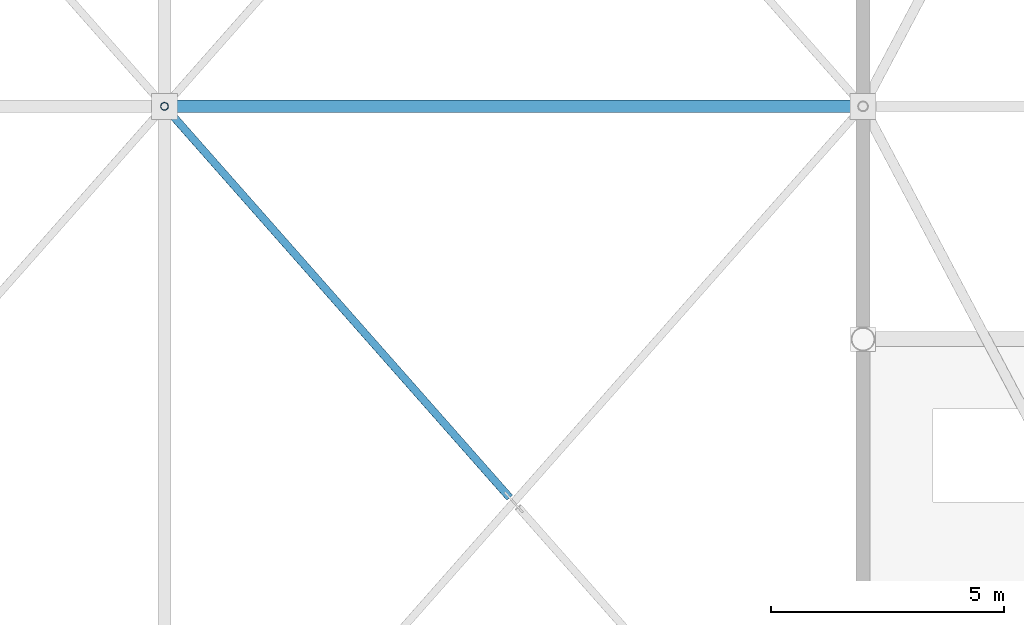
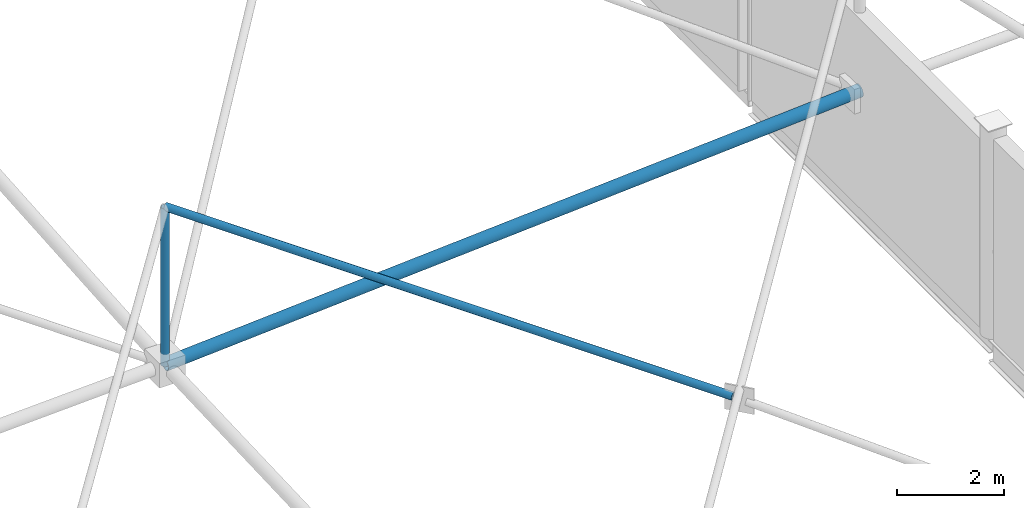
# One storey, part 109 of 224: 3 members.
"""IFC4 building model written with IfcOpenShell, lengths in metres."""

from ifc_helpers import new_model, si_unit, direction, frame, origin, origin_2d, place, context, subcontext, project, spatial, hollow_circle, extrude, material, material_profile, profile_set, type_object, element, save


model = new_model("IFC4")

# Units and contexts
model_context = context("Model", 3, precision=1e-05, world=origin(), true_north=direction((0.0, 1.0)))
body_context = subcontext(model_context, "Body", "Model", "MODEL_VIEW")
ifc_project = project(units=[si_unit("LENGTHUNIT", "METRE"), si_unit("AREAUNIT", "SQUARE_METRE"), si_unit("VOLUMEUNIT", "CUBIC_METRE"), si_unit("PLANEANGLEUNIT", "RADIAN"), si_unit("MASSUNIT", "GRAM", prefix="KILO")], contexts=[model_context])

# Site, building, storey
site_placement = place(None, origin())
site = spatial("IfcSite", under=ifc_project, at=site_placement, CompositionType="ELEMENT")
building_placement = place(site_placement, origin())
building = spatial("IfcBuilding", under=site, at=building_placement, Name="Qamarlyn Nura Convention Centre", CompositionType="ELEMENT")
storey_placement = place(building_placement, frame((0.0, 0.0, 10.800048828125)))
storey = spatial("IfcBuildingStorey", under=building, at=storey_placement, Name="L02", CompositionType="ELEMENT", Elevation=10.800048828125)

# Members
ifc_material = material(Name="Pearl-white PVDF steel ASTM A500 Grade C", Category="steel")
ifc_material_profile_1 = material_profile(ifc_material, hollow_circle(Radius=0.136474609375, WallThickness=0.012451171875, at=origin_2d()), Name="CHS273X12.5")
ifc_profile_set_1 = profile_set([ifc_material_profile_1], Name="Pearl-white PVDF steel ASTM A500 Grade C")
member_type_1 = type_object("IfcMemberType", Name="SF-BC-MAIN", PredefinedType="CHORD", material=ifc_profile_set_1)
member_1_placement = place(storey_placement, frame((105.0, 86.0, 1.48046875), z_axis=(0.997771123533, 0.0, 0.066729191839), x_axis=(0.0, 1.0, 0.0)))
element("IfcMember", 1, at=member_1_placement, inside=storey, type_object=member_type_1, Name="ROOF TRUSS space frame bottom chord X9-6", PredefinedType="CHORD", context=body_context, shape_type="SweptSolid", body=[
    extrude(hollow_circle(Radius=0.136474609375, WallThickness=0.012451171875, at=origin_2d()), origin(), (0.0, 0.0, 1.0), 15.033447265625),
])
ifc_material_profile_2 = material_profile(ifc_material, hollow_circle(Radius=0.084228515625, WallThickness=0.008056640625, at=origin_2d()), Name="CHS168.3X8")
ifc_profile_set_2 = profile_set([ifc_material_profile_2], Name="Pearl-white PVDF steel ASTM A500 Grade C")
member_type_2 = type_object("IfcMemberType", Name="SF-WEB-STD", PredefinedType="BRACE", material=ifc_profile_set_2)
member_2_placement = place(storey_placement, frame((112.408935546875, 77.603271484375, 3.2509765625), z_axis=(-0.65296666577, 0.740023150091, 0.16124599444), x_axis=(-0.749835310382, -0.66162452139, 0.0)))
element("IfcMember", 2, at=member_2_placement, inside=storey, type_object=member_type_2, Name="ROOF TRUSS space frame split diagonal B2 9-5", PredefinedType="BRACE", context=body_context, shape_type="SweptSolid", body=[
    extrude(hollow_circle(Radius=0.084228515625, WallThickness=0.008056640625, at=origin_2d()), origin(), (0.0, 0.0, 1.0), 11.3466796875),
])
member_3_placement = place(storey_placement, frame((105.0, 86.0, 1.48046875), z_axis=(0.0, 0.0, 1.0), x_axis=(1.0, 0.0, 0.0)))
element("IfcMember", 3, at=member_3_placement, inside=storey, type_object=member_type_2, Name="ROOF TRUSS space frame vertical 9-6", PredefinedType="BRACE", context=body_context, shape_type="SweptSolid", body=[
    extrude(hollow_circle(Radius=0.084228515625, WallThickness=0.008056640625, at=origin_2d()), origin(), (0.0, 0.0, 1.0), 3.60009765625),
])

save(model, "model.ifc")
